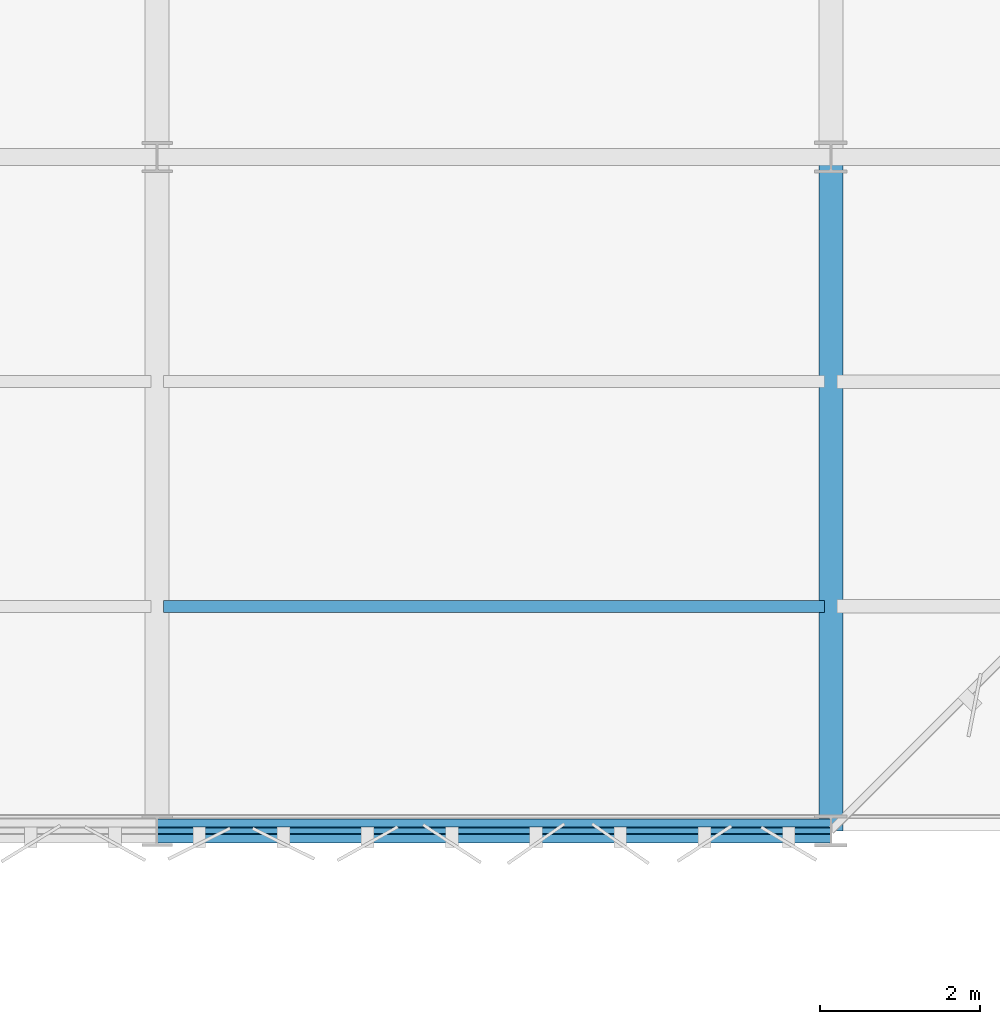
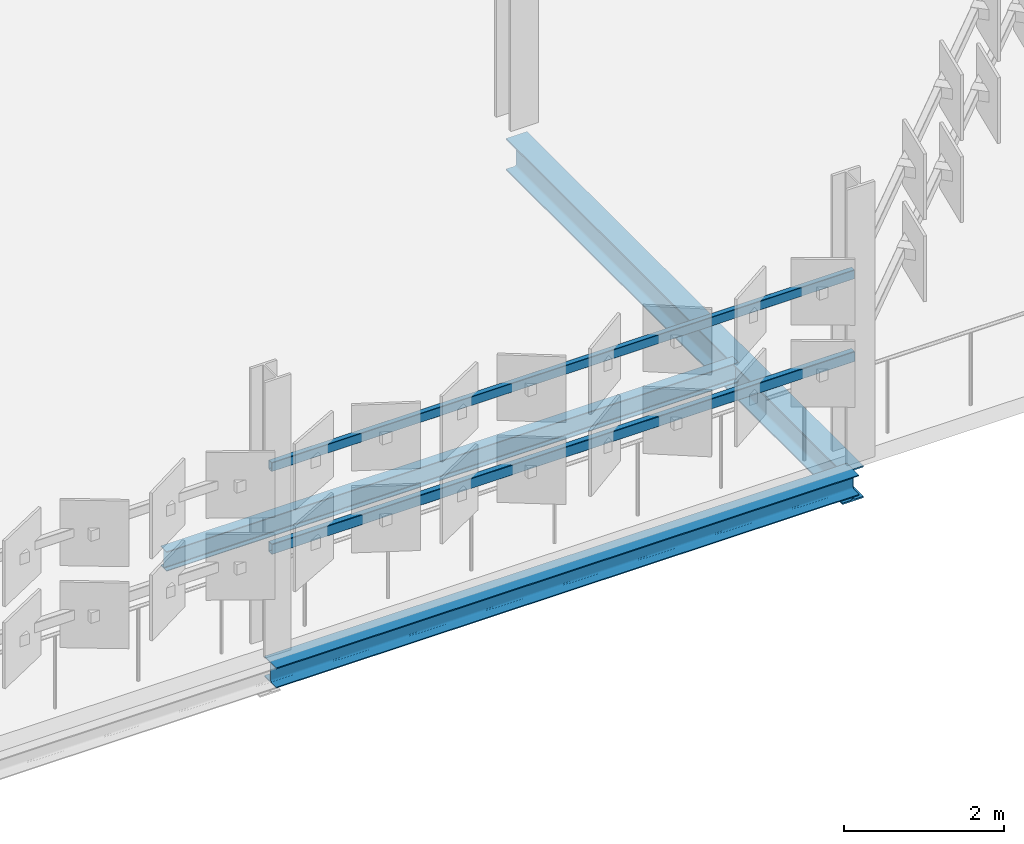
# One storey, part 127 of 184: 5 beams.
"""IFC4 building model written with IfcOpenShell, lengths in metres."""

from ifc_helpers import new_model, si_unit, direction, frame, origin, origin_2d, place, context, subcontext, project, spatial, hollow_rectangle, i_section, extrude, material, material_profile, profile_set, type_object, element, save


model = new_model("IFC4")

# Units and contexts
model_context = context("Model", 3, precision=1e-05, world=origin(), true_north=direction((0.0, 1.0)))
body_context = subcontext(model_context, "Body", "Model", "MODEL_VIEW")
ifc_project = project(units=[si_unit("LENGTHUNIT", "METRE"), si_unit("AREAUNIT", "SQUARE_METRE"), si_unit("VOLUMEUNIT", "CUBIC_METRE"), si_unit("PLANEANGLEUNIT", "RADIAN"), si_unit("MASSUNIT", "GRAM", prefix="KILO")], contexts=[model_context])

# Site, building, storey
site_placement = place(None, origin())
site = spatial("IfcSite", under=ifc_project, at=site_placement, CompositionType="ELEMENT")
building_placement = place(site_placement, origin())
building = spatial("IfcBuilding", under=site, at=building_placement, Name="Qalvenar Corner Mobility Hub", CompositionType="ELEMENT")
storey_placement = place(building_placement, frame((0.0, 0.0, 9.0)))
storey = spatial("IfcBuildingStorey", under=building, at=storey_placement, Name="L02", CompositionType="ELEMENT", Elevation=9.0)

# Beams
ifc_material = material(Name="Steel S355", Category="steel")
ifc_material_profile_1 = material_profile(ifc_material, i_section(OverallWidth=0.300048828125, OverallDepth=0.489990234375, WebThickness=0.011962890625, FlangeThickness=0.02294921875, FilletRadius=0.027099609375, at=origin_2d()), Name="HEA500")
ifc_profile_set_1 = profile_set([ifc_material_profile_1], Name="Steel S355")
beam_type_1 = type_object("IfcBeamType", Name="BM-HEA500", PredefinedType="BEAM", material=ifc_profile_set_1)
beam_1_placement = place(storey_placement, frame((134.39990234375, 67.199951171875, -0.485107421875), z_axis=(0.0, 1.0, 0.0), x_axis=(-1.0, 0.0, 0.0)))
element("IfcBeam", 1, at=beam_1_placement, inside=storey, type_object=beam_type_1, Name="Primary Steel Girder GY-2010", PredefinedType="BEAM", context=body_context, shape_type="SweptSolid", body=[
    extrude(i_section(OverallWidth=0.300048828125, OverallDepth=0.489990234375, WebThickness=0.011962890625, FlangeThickness=0.02294921875, FilletRadius=0.027099609375, at=origin_2d()), origin(), (0.0, 0.0, 1.0), 8.400146484375),
])
ifc_material_profile_2 = material_profile(ifc_material, i_section(OverallWidth=0.14990234375, OverallDepth=0.300048828125, WebThickness=0.007080078125, FlangeThickness=0.0107421875, FilletRadius=0.014892578125, at=origin_2d()), Name="IPE300")
ifc_profile_set_2 = profile_set([ifc_material_profile_2], Name="Steel S355")
beam_type_2 = type_object("IfcBeamType", Name="BM-JST300", PredefinedType="JOIST", material=ifc_profile_set_2)
beam_2_placement = place(storey_placement, frame((126.077880859375, 70.0, -0.389892578125), z_axis=(1.0, 0.0, 0.0), x_axis=(0.0, 1.0, 0.0)))
element("IfcBeam", 2, at=beam_2_placement, inside=storey, type_object=beam_type_2, Name="Composite Floor Joist J-2094", PredefinedType="JOIST", context=body_context, shape_type="SweptSolid", body=[
    extrude(i_section(OverallWidth=0.14990234375, OverallDepth=0.300048828125, WebThickness=0.007080078125, FlangeThickness=0.0107421875, FilletRadius=0.014892578125, at=origin_2d()), origin(), (0.0, 0.0, 1.0), 8.244140625),
])
ifc_material_profile_3 = material_profile(ifc_material, i_section(OverallWidth=0.300048828125, OverallDepth=0.31005859375, WebThickness=0.009033203125, FlangeThickness=0.015380859375, FilletRadius=0.027099609375, at=origin_2d()), Name="HEA320")
ifc_profile_set_3 = profile_set([ifc_material_profile_3], Name="Steel S355")
beam_type_3 = type_object("IfcBeamType", Name="BM-SPN320", PredefinedType="SPANDREL", material=ifc_profile_set_3)
beam_3_placement = place(storey_placement, frame((126.0, 67.199951171875, -0.39501953125), z_axis=(1.0, 0.0, 0.0), x_axis=(0.0, 1.0, 0.0)))
element("IfcBeam", 3, at=beam_3_placement, inside=storey, type_object=beam_type_3, Name="Primary Steel Girder GX-1909", PredefinedType="SPANDREL", context=body_context, shape_type="SweptSolid", body=[
    extrude(i_section(OverallWidth=0.300048828125, OverallDepth=0.31005859375, WebThickness=0.009033203125, FlangeThickness=0.015380859375, FilletRadius=0.027099609375, at=origin_2d()), origin(), (0.0, 0.0, 1.0), 8.39990234375),
])
ifc_material_profile_4 = material_profile(ifc_material, hollow_rectangle(XDim=0.080078125, YDim=0.139892578125, WallThickness=0.0048828125, InnerFilletRadius=0.0048828125, OuterFilletRadius=0.010009765625, at=origin_2d()), Name="RHS140x80x5")
ifc_profile_set_4 = profile_set([ifc_material_profile_4], Name="Steel S355")
beam_type_4 = type_object("IfcBeamType", Name="FR-RAIL140", PredefinedType="SPANDREL", material=ifc_profile_set_4)
beam_4_placement = place(storey_placement, frame((126.0, 67.199951171875, 2.75), z_axis=(1.0, 0.0, 0.0), x_axis=(0.0, 1.0, 0.0)))
element("IfcBeam", 4, at=beam_4_placement, inside=storey, type_object=beam_type_4, Name="Facade Hinge Support Rail FR-L02-0064", PredefinedType="SPANDREL", context=body_context, shape_type="SweptSolid", body=[
    extrude(hollow_rectangle(XDim=0.080078125, YDim=0.139892578125, WallThickness=0.0048828125, InnerFilletRadius=0.0048828125, OuterFilletRadius=0.010009765625, at=origin_2d()), origin(), (0.0, 0.0, 1.0), 8.39990234375),
])
ifc_material_profile_5 = material_profile(ifc_material, hollow_rectangle(XDim=0.090087890625, YDim=0.159912109375, WallThickness=0.00634765625, InnerFilletRadius=0.00634765625, OuterFilletRadius=0.0126953125, at=origin_2d()), Name="RHS160x90x6.3")
ifc_profile_set_5 = profile_set([ifc_material_profile_5], Name="Steel S355")
beam_type_5 = type_object("IfcBeamType", Name="FR-RAIL160", PredefinedType="SPANDREL", material=ifc_profile_set_5)
beam_5_placement = place(storey_placement, frame((126.0, 67.199951171875, 1.5), z_axis=(1.0, 0.0, 0.0), x_axis=(0.0, 1.0, 0.0)))
element("IfcBeam", 5, at=beam_5_placement, inside=storey, type_object=beam_type_5, Name="Facade Hinge Support Rail FR-L02-0063", PredefinedType="SPANDREL", context=body_context, shape_type="SweptSolid", body=[
    extrude(hollow_rectangle(XDim=0.090087890625, YDim=0.159912109375, WallThickness=0.00634765625, InnerFilletRadius=0.00634765625, OuterFilletRadius=0.0126953125, at=origin_2d()), origin(), (0.0, 0.0, 1.0), 8.39990234375),
])

save(model, "model.ifc")
